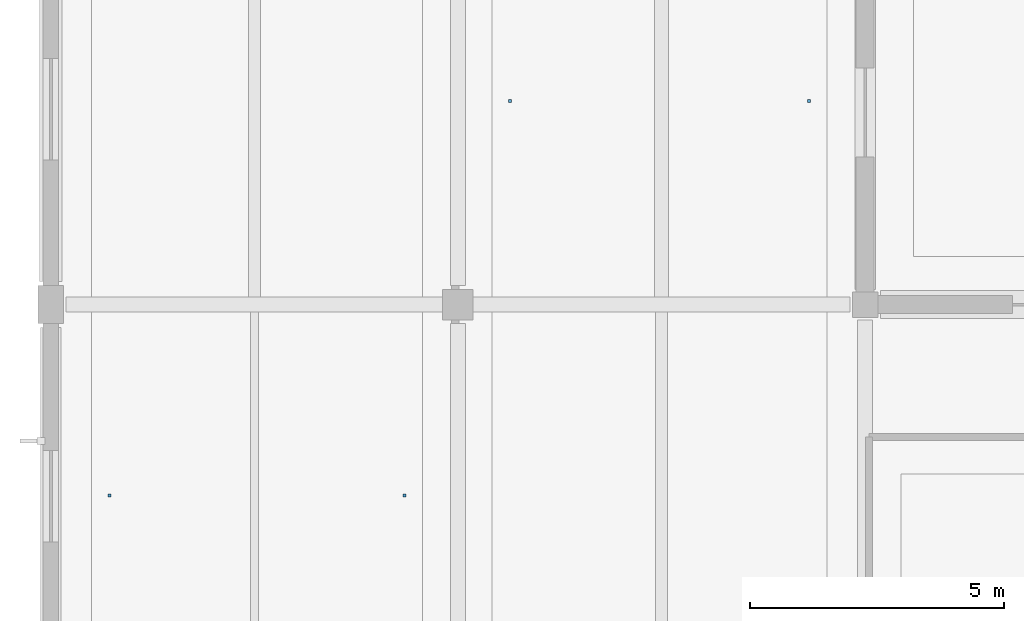
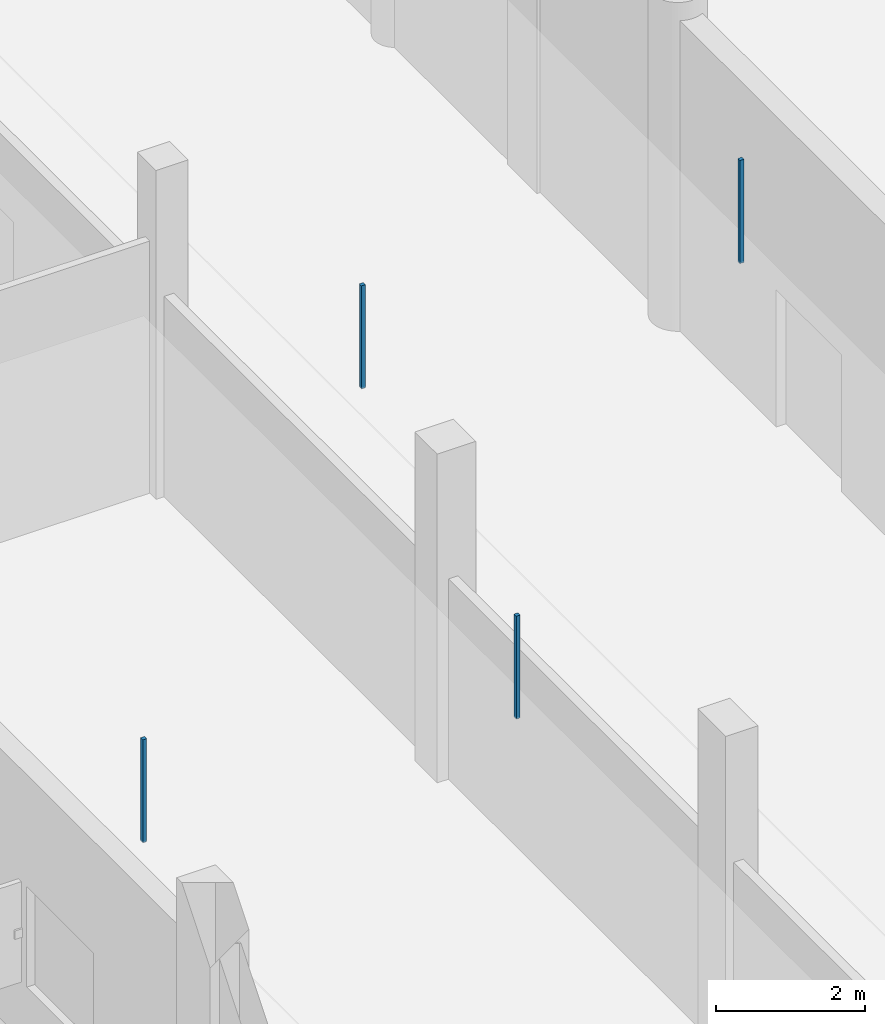
# One storey, part 85 of 126: 4 discrete accessories.
"""IFC4 building model written with IfcOpenShell, lengths in metres."""

from ifc_helpers import new_model, si_unit, direction, frame, origin, origin_2d, place, context, subcontext, project, spatial, rectangle, extrude, material, type_object, element, save


model = new_model("IFC4")

# Units and contexts
model_context = context("Model", 3, precision=1e-05, world=origin(), true_north=direction((0.0, 1.0)))
body_context = subcontext(model_context, "Body", "Model", "MODEL_VIEW")
ifc_project = project(units=[si_unit("LENGTHUNIT", "METRE"), si_unit("AREAUNIT", "SQUARE_METRE"), si_unit("VOLUMEUNIT", "CUBIC_METRE"), si_unit("PLANEANGLEUNIT", "RADIAN"), si_unit("MASSUNIT", "GRAM", prefix="KILO")], contexts=[model_context])

# Site, building, storey
site_placement = place(None, origin())
site = spatial("IfcSite", under=ifc_project, at=site_placement, CompositionType="ELEMENT")
building_placement = place(site_placement, origin())
building = spatial("IfcBuilding", under=site, at=building_placement, Name="Khelvaren Railside Concert Hall", CompositionType="ELEMENT")
storey_placement = place(building_placement, origin())
storey = spatial("IfcBuildingStorey", under=building, at=storey_placement, Name="L00", CompositionType="ELEMENT", Elevation=0.0)

# Discrete accessories
ifc_material = material(Name="Galvanised steel acoustic ceiling hanger rod", Category="steel")
discrete_accessory_type = type_object("IfcDiscreteAccessoryType", Name="BRK62", PredefinedType="BRACKET", material=ifc_material)
for number, where, z_axis, x_axis, name in (
    (1, (9.02001953125, 87.60009765625, 3.429931640625), (0.0, 0.0, 1.0), (1.0, 0.0, 0.0), "Acoustic Ceiling Suspension Bracket 95-1"),
    (2, (14.89990234375, 87.60009765625, 3.429931640625), (0.0, 0.0, 1.0), (1.0, 0.0, 0.0), "Acoustic Ceiling Suspension Bracket 95-2"),
    (3, (1.14990234375, 79.85009765625, 3.429931640625), (0.0, 0.0, 1.0), (1.0, 0.0, 0.0), "Acoustic Ceiling Suspension Bracket 99-1"),
    (4, (6.949951171875, 79.85009765625, 3.429931640625), (0.0, 0.0, 1.0), (1.0, 0.0, 0.0), "Acoustic Ceiling Suspension Bracket 99-2"),
):
    element("IfcDiscreteAccessory", number, at=place(storey_placement, frame(where, z_axis=z_axis, x_axis=x_axis)), inside=storey, type_object=discrete_accessory_type, Name=name, PredefinedType="BRACKET", context=body_context, shape_type="SweptSolid", body=[
        extrude(rectangle(XDim=0.06005859375, YDim=0.06005859375, at=origin_2d()), origin(), (0.0, 0.0, 1.0), 1.68994140625),
    ])

save(model, "model.ifc")
